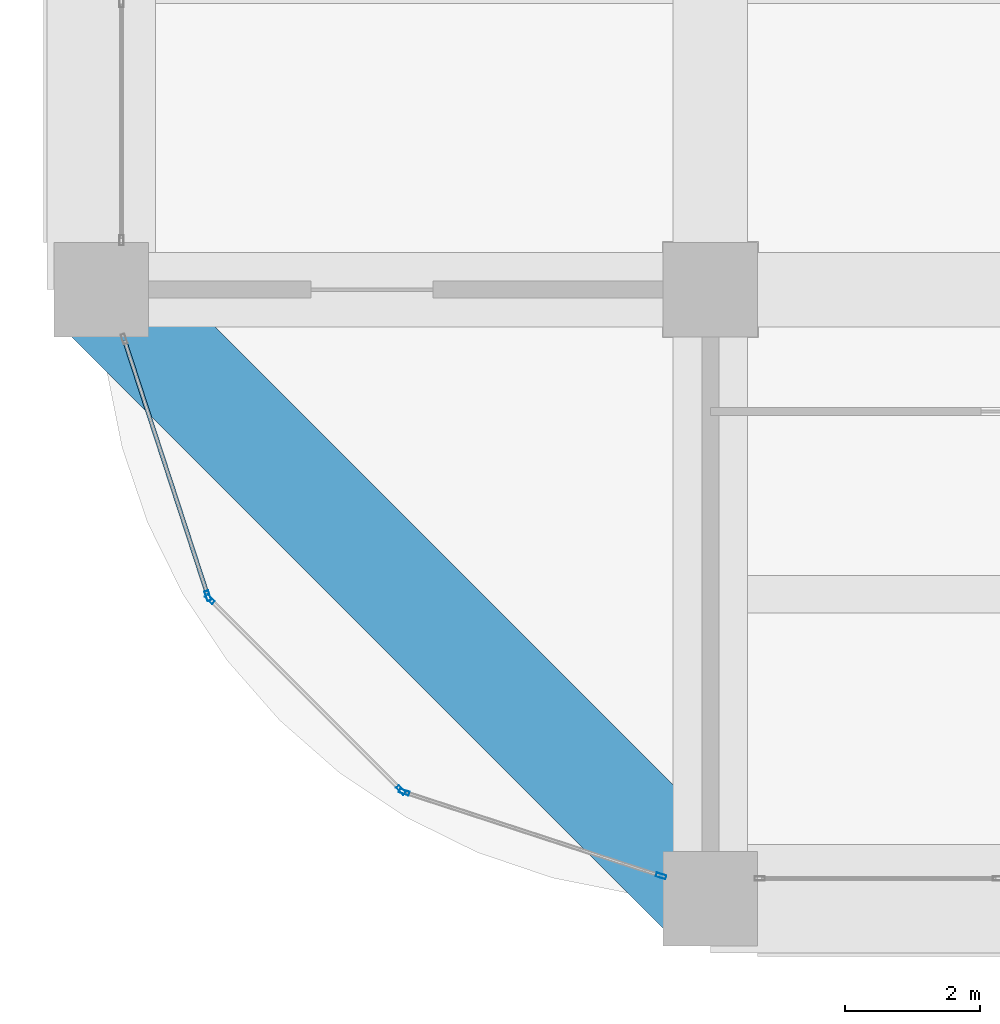
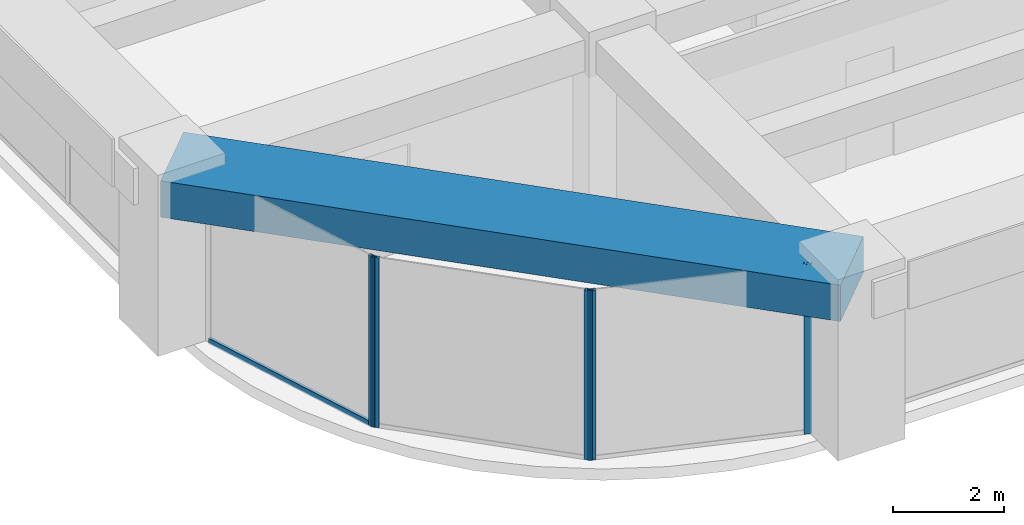
# One storey, part 2 of 34: 6 members, 1 beam, 3 elements without a shape of their own.
"""IFC4 building model written with IfcOpenShell, lengths in metres."""

from ifc_helpers import new_model, si_unit, direction, frame, origin, origin_2d, place, context, subcontext, project, spatial, rectangle, hollow_rectangle, extrude, material, material_profile, profile_set, type_object, element, aggregate, save


model = new_model("IFC4")

# Units and contexts
model_context = context("Model", 3, precision=1e-05, world=origin(), true_north=direction((0.0, 1.0)))
body_context = subcontext(model_context, "Body", "Model", "MODEL_VIEW")
ifc_project = project(units=[si_unit("LENGTHUNIT", "METRE"), si_unit("AREAUNIT", "SQUARE_METRE"), si_unit("VOLUMEUNIT", "CUBIC_METRE"), si_unit("PLANEANGLEUNIT", "RADIAN"), si_unit("MASSUNIT", "GRAM", prefix="KILO")], contexts=[model_context])

# Site, building, storey
site_placement = place(None, origin())
site = spatial("IfcSite", under=ifc_project, at=site_placement, CompositionType="ELEMENT")
building_placement = place(site_placement, origin())
building = spatial("IfcBuilding", under=site, at=building_placement, Name="Zorevar Civic Tower", CompositionType="ELEMENT")
storey_placement = place(building_placement, frame((0.0, 0.0, 226.199951171875)))
storey = spatial("IfcBuildingStorey", under=building, at=storey_placement, Name="L55", CompositionType="ELEMENT", Elevation=226.199951171875)

# Curtain wall, member
ifc_material_1 = material(Name="Dark grey solar-control glass in black aluminium frame", Category="aluminium")
curtain_wall_type = type_object("IfcCurtainWallType", Name="Curtain wall CW4 high zone", PredefinedType="NOTDEFINED", material=ifc_material_1)
curtain_wall_1_placement = place(storey_placement, origin())
curtain_wall_1 = element("IfcCurtainWall", 1, at=curtain_wall_1_placement, inside=storey, type_object=curtain_wall_type, Name="CW4 L55", PredefinedType="NOTDEFINED")
ifc_material_2 = material(Name="Aluminium, black anodised", Category="aluminium")
ifc_material_profile_1 = material_profile(ifc_material_2, hollow_rectangle(XDim=0.06005859375, YDim=0.14990234375, WallThickness=0.00390625, at=origin_2d()), Name="AL 150x60x4")
ifc_profile_set_1 = profile_set([ifc_material_profile_1], Name="Aluminium, black anodised")
member_type_1 = type_object("IfcMemberType", Name="CW4 mullion AL 150x60x4", PredefinedType="MULLION", material=ifc_profile_set_1)
member_1_placement = place(storey_placement, frame((1.57568359375, 4.477783203125, 0.0), z_axis=(0.0, 0.0, 1.0), x_axis=(0.950644749916, 0.310281419775, 0.0)))
member_1 = element("IfcMember", 2, at=member_1_placement, type_object=member_type_1, Name="CW4 mullion 2", PredefinedType="MULLION", context=body_context, shape_type="SweptSolid", body=[
    extrude(hollow_rectangle(XDim=0.06005859375, YDim=0.14990234375, WallThickness=0.00390625, at=origin_2d()), origin(), (0.0, 0.0, 1.0), 3.75),
])

# Curtain wall, members
curtain_wall_2_placement = place(storey_placement, origin())
curtain_wall_2 = element("IfcCurtainWall", 3, at=curtain_wall_2_placement, inside=storey, type_object=curtain_wall_type, Name="CW4 L55", PredefinedType="NOTDEFINED")
member_2_placement = place(storey_placement, frame((1.606201171875, 4.427978515625, 0.0), z_axis=(0.0, 0.0, 1.0), x_axis=(0.707106781187, 0.707106781187, 0.0)))
member_2 = element("IfcMember", 4, at=member_2_placement, type_object=member_type_1, Name="CW4 mullion 1", PredefinedType="MULLION", context=body_context, shape_type="SweptSolid", body=[
    extrude(hollow_rectangle(XDim=0.06005859375, YDim=0.14990234375, WallThickness=0.00390625, at=origin_2d()), origin(), (0.0, 0.0, 1.0), 3.75),
])
member_3_placement = place(storey_placement, frame((4.427978515625, 1.606201171875, 0.0), z_axis=(0.0, 0.0, 1.0), x_axis=(0.707106781187, 0.707106781187, 0.0)))
member_3 = element("IfcMember", 5, at=member_3_placement, type_object=member_type_1, Name="CW4 mullion 2", PredefinedType="MULLION", context=body_context, shape_type="SweptSolid", body=[
    extrude(hollow_rectangle(XDim=0.06005859375, YDim=0.14990234375, WallThickness=0.00390625, at=origin_2d()), origin(), (0.0, 0.0, 1.0), 3.75),
])
aggregate(curtain_wall_2, [member_2, member_3])

curtain_wall_3_placement = place(storey_placement, origin())
curtain_wall_3 = element("IfcCurtainWall", 6, at=curtain_wall_3_placement, inside=storey, type_object=curtain_wall_type, Name="CW4 L55", PredefinedType="NOTDEFINED")
member_4_placement = place(storey_placement, frame((4.477783203125, 1.57568359375, 0.0), z_axis=(0.0, 0.0, 1.0), x_axis=(0.310281419775, 0.950644749916, 0.0)))
member_4 = element("IfcMember", 7, at=member_4_placement, type_object=member_type_1, Name="CW4 mullion 1", PredefinedType="MULLION", context=body_context, shape_type="SweptSolid", body=[
    extrude(hollow_rectangle(XDim=0.06005859375, YDim=0.14990234375, WallThickness=0.00390625, at=origin_2d()), origin(), (0.0, 0.0, 1.0), 3.75),
])
member_5_placement = place(storey_placement, frame((8.271484375, 0.337646484375, 0.0), z_axis=(0.0, 0.0, 1.0), x_axis=(0.310281419775, 0.950644749916, 0.0)))
member_5 = element("IfcMember", 8, at=member_5_placement, type_object=member_type_1, Name="CW4 mullion 2", PredefinedType="MULLION", context=body_context, shape_type="SweptSolid", body=[
    extrude(hollow_rectangle(XDim=0.06005859375, YDim=0.14990234375, WallThickness=0.00390625, at=origin_2d()), origin(), (0.0, 0.0, 1.0), 3.75),
])
aggregate(curtain_wall_3, [member_4, member_5])

# Member
ifc_material_3 = material(Name="Aluminium, black anodised", Category="aluminium")
ifc_material_profile_2 = material_profile(ifc_material_3, hollow_rectangle(XDim=0.06005859375, YDim=0.1201171875, WallThickness=0.0029296875, at=origin_2d()), Name="AL 120x60x3")
ifc_profile_set_2 = profile_set([ifc_material_profile_2], Name="Aluminium, black anodised")
member_type_2 = type_object("IfcMemberType", Name="CW4 transom AL 120x60x3", PredefinedType="USERDEFINED", material=ifc_profile_set_2)
member_6_placement = place(storey_placement, frame((0.346923828125, 8.242919921875, 0.030029296875), z_axis=(0.31025859143, -0.950652200568, 0.0), x_axis=(0.950652200568, 0.31025859143, 0.0)))
member_6 = element("IfcMember", 9, at=member_6_placement, type_object=member_type_2, Name="CW4 sill transom", ObjectType="TRANSOM", PredefinedType="USERDEFINED", context=body_context, shape_type="SweptSolid", body=[
    extrude(hollow_rectangle(XDim=0.06005859375, YDim=0.1201171875, WallThickness=0.0029296875, at=origin_2d()), origin(), (0.0, 0.0, 1.0), 3.930419921875),
])

aggregate(curtain_wall_1, [member_1, member_6])

# Beam
ifc_material_4 = material(Name="Concrete C50/60", Category="concrete")
ifc_material_profile_3 = material_profile(ifc_material_4, rectangle(XDim=1.60009765625, YDim=0.800048828125, at=origin_2d()), Name="RC 1600x800")
ifc_profile_set_3 = profile_set([ifc_material_profile_3], Name="Concrete C50/60")
beam_type = type_object("IfcBeamType", Name="Edge beam RC 1600x800", PredefinedType="SPANDREL", material=ifc_profile_set_3)
beam_placement = place(storey_placement, frame((0.0, 9.0, 3.35009765625), z_axis=(0.707106781187, -0.707106781187, 0.0), x_axis=(0.707106781187, 0.707106781187, 0.0)))
element("IfcBeam", 10, at=beam_placement, inside=storey, type_object=beam_type, Name="Corner edge beam L56", PredefinedType="SPANDREL", context=body_context, shape_type="SweptSolid", body=[
    extrude(rectangle(XDim=1.60009765625, YDim=0.800048828125, at=origin_2d()), origin(), (0.0, 0.0, 1.0), 12.72802734375),
])

save(model, "model.ifc")
